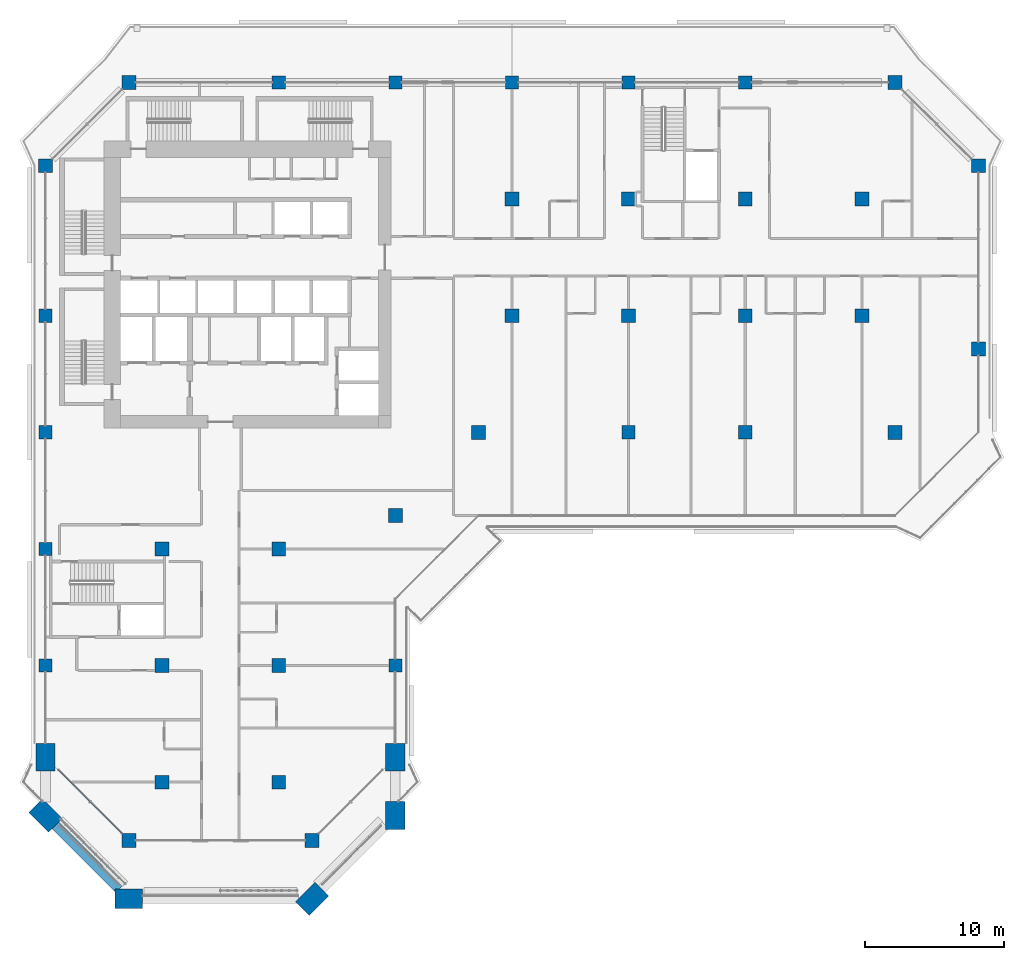
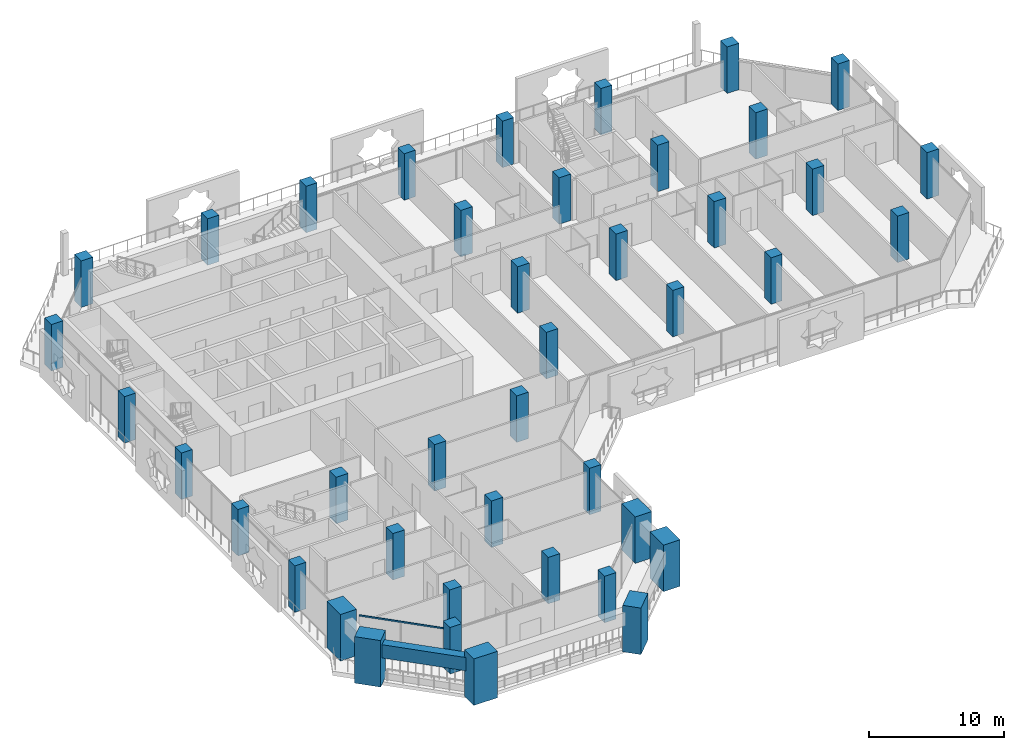
# One storey, part 1 of 22: 42 columns, 1 beam, 1 member, 1 element without a shape of its own.
"""IFC4 building model written with IfcOpenShell, lengths in metres."""

from ifc_helpers import new_model, si_unit, direction, frame, origin, origin_2d, place, context, subcontext, project, spatial, rectangle, extrude, material, layer, layer_set, material_profile, profile_set, type_object, element, aggregate, save


model = new_model("IFC4")

# Units and contexts
model_context = context("Model", 3, precision=1e-05, world=origin(), true_north=direction((0.0, 1.0)))
body_context = subcontext(model_context, "Body", "Model", "MODEL_VIEW")
ifc_project = project(units=[si_unit("LENGTHUNIT", "METRE"), si_unit("AREAUNIT", "SQUARE_METRE"), si_unit("VOLUMEUNIT", "CUBIC_METRE"), si_unit("PLANEANGLEUNIT", "RADIAN"), si_unit("MASSUNIT", "GRAM", prefix="KILO")], contexts=[model_context])

# Site, building, storey
site_placement = place(None, origin())
site = spatial("IfcSite", under=ifc_project, at=site_placement, CompositionType="ELEMENT")
building_placement = place(site_placement, origin())
building = spatial("IfcBuilding", under=site, at=building_placement, Name="Kawkab Arch Medical Tower", CompositionType="ELEMENT")
storey_placement = place(building_placement, frame((0.0, 0.0, 171.0)))
storey = spatial("IfcBuildingStorey", under=building, at=storey_placement, Name="L39", CompositionType="ELEMENT", Elevation=171.0)

# Columns
ifc_material_1 = material(Name="Concrete C50/60", Category="concrete")
ifc_material_profile_1 = material_profile(ifc_material_1, rectangle(XDim=1.0, YDim=1.0, at=origin_2d()), Name="RC 1000x1000")
ifc_profile_set_1 = profile_set([ifc_material_profile_1], Name="Concrete C50/60")
column_type_1 = type_object("IfcColumnType", Name="RC 1000x1000 column C50/60", PredefinedType="COLUMN", material=ifc_profile_set_1)
for number, where, z_axis, x_axis, name in (
    (1, (6.0, 0.0, 0.0), (0.0, 0.0, 1.0), (1.0, 0.0, 0.0), "Column RC 1000x1000"),
    (2, (61.199951171875, 0.0, 0.0), (0.0, 0.0, 1.0), (1.0, 0.0, 0.0), "Column RC 1000x1000"),
    (3, (0.0, -6.0, 0.0), (0.0, 0.0, 1.0), (1.0, 0.0, 0.0), "Column RC 1000x1000"),
    (4, (67.199951171875, -6.0, 0.0), (0.0, 0.0, 1.0), (1.0, 0.0, 0.0), "Column RC 1000x1000"),
    (5, (33.60009765625, -8.39990234375, 0.0), (0.0, 0.0, 1.0), (1.0, 0.0, 0.0), "Column RC 1000x1000"),
    (6, (42.0, -8.39990234375, 0.0), (0.0, 0.0, 1.0), (1.0, 0.0, 0.0), "Column RC 1000x1000"),
    (7, (50.39990234375, -8.39990234375, 0.0), (0.0, 0.0, 1.0), (1.0, 0.0, 0.0), "Column RC 1000x1000"),
    (8, (58.800048828125, -8.39990234375, 0.0), (0.0, 0.0, 1.0), (1.0, 0.0, 0.0), "Column RC 1000x1000"),
    (9, (33.60009765625, -16.800048828125, 0.0), (0.0, 0.0, 1.0), (1.0, 0.0, 0.0), "Column RC 1000x1000"),
    (10, (42.0, -16.800048828125, 0.0), (0.0, 0.0, 1.0), (1.0, 0.0, 0.0), "Column RC 1000x1000"),
    (11, (50.39990234375, -16.800048828125, 0.0), (0.0, 0.0, 1.0), (1.0, 0.0, 0.0), "Column RC 1000x1000"),
    (12, (58.800048828125, -16.800048828125, 0.0), (0.0, 0.0, 1.0), (1.0, 0.0, 0.0), "Column RC 1000x1000"),
    (13, (67.199951171875, -19.199951171875, 0.0), (0.0, 0.0, 1.0), (1.0, 0.0, 0.0), "Column RC 1000x1000"),
    (14, (31.199951171875, -25.199951171875, 0.0), (0.0, 0.0, 1.0), (1.0, 0.0, 0.0), "Column RC 1000x1000"),
    (15, (61.199951171875, -25.199951171875, 0.0), (0.0, 0.0, 1.0), (1.0, 0.0, 0.0), "Column RC 1000x1000"),
    (16, (25.199951171875, -31.199951171875, 0.0), (0.0, 0.0, 1.0), (1.0, 0.0, 0.0), "Column RC 1000x1000"),
    (17, (8.39990234375, -33.60009765625, 0.0), (0.0, 0.0, 1.0), (1.0, 0.0, 0.0), "Column RC 1000x1000"),
    (18, (16.800048828125, -33.60009765625, 0.0), (0.0, 0.0, 1.0), (1.0, 0.0, 0.0), "Column RC 1000x1000"),
    (19, (8.39990234375, -42.0, 0.0), (0.0, 0.0, 1.0), (1.0, 0.0, 0.0), "Column RC 1000x1000"),
    (20, (16.800048828125, -42.0, 0.0), (0.0, 0.0, 1.0), (1.0, 0.0, 0.0), "Column RC 1000x1000"),
    (21, (8.39990234375, -50.39990234375, 0.0), (0.0, 0.0, 1.0), (1.0, 0.0, 0.0), "Column RC 1000x1000"),
    (22, (16.800048828125, -50.39990234375, 0.0), (0.0, 0.0, 1.0), (1.0, 0.0, 0.0), "Column RC 1000x1000"),
    (23, (6.0, -54.60009765625, 0.0), (0.0, 0.0, 1.0), (1.0, 0.0, 0.0), "Column RC 1000x1000"),
    (24, (19.199951171875, -54.60009765625, 0.0), (0.0, 0.0, 1.0), (1.0, 0.0, 0.0), "Column RC 1000x1000"),
):
    element("IfcColumn", number, at=place(storey_placement, frame(where, z_axis=z_axis, x_axis=x_axis)), inside=storey, type_object=column_type_1, Name=name, PredefinedType="COLUMN", context=body_context, shape_type="SweptSolid", body=[
        extrude(rectangle(XDim=1.0, YDim=1.0, at=origin_2d()), origin(), (0.0, 0.0, 1.0), 4.199951171875),
    ])
ifc_material_2 = material(Name="Concrete C50/60", Category="concrete")
ifc_material_profile_2 = material_profile(ifc_material_2, rectangle(XDim=2.0, YDim=1.39990234375, at=origin_2d()), Name="RC 2000x1400")
ifc_profile_set_2 = profile_set([ifc_material_profile_2], Name="Concrete C50/60")
column_type_2 = type_object("IfcColumnType", Name="RC 2000x1400 column C50/60", PredefinedType="COLUMN", material=ifc_profile_set_2)
for number, where, z_axis, x_axis, name in (
    (25, (0.0, -48.60009765625, 0.0), (0.0, 0.0, 1.0), (0.0, 1.0, 0.0), "Column RC 2000x1400"),
    (26, (25.199951171875, -48.60009765625, 0.0), (0.0, 0.0, 1.0), (0.0, -1.0, 0.0), "Column RC 2000x1400"),
    (27, (25.199951171875, -52.800048828125, 0.0), (0.0, 0.0, 1.0), (0.0, -1.0, 0.0), "Column RC 2000x1400"),
    (28, (19.199951171875, -58.800048828125, 0.0), (0.0, 0.0, 1.0), (-0.707106781187, -0.707106781187, 0.0), "Column RC 2000x1400"),
    (29, (6.0, -58.800048828125, 0.0), (0.0, 0.0, 1.0), (-1.0, 0.0, 0.0), "Column RC 2000x1400"),
    (30, (0.0, -52.800048828125, 0.0), (0.0, 0.0, 1.0), (-0.707106781187, 0.707106781187, 0.0), "Column RC 2000x1400"),
):
    element("IfcColumn", number, at=place(storey_placement, frame(where, z_axis=z_axis, x_axis=x_axis)), inside=storey, type_object=column_type_2, Name=name, PredefinedType="COLUMN", context=body_context, shape_type="SweptSolid", body=[
        extrude(rectangle(XDim=2.0, YDim=1.39990234375, at=origin_2d()), origin(), (0.0, 0.0, 1.0), 4.199951171875),
    ])
ifc_material_3 = material(Name="Concrete C50/60", Category="concrete")
ifc_material_profile_3 = material_profile(ifc_material_3, rectangle(XDim=0.949951171875, YDim=0.949951171875, at=origin_2d()), Name="RC 950x950")
ifc_profile_set_3 = profile_set([ifc_material_profile_3], Name="Concrete C50/60")
column_type_3 = type_object("IfcColumnType", Name="RC 950x950 column C50/60", PredefinedType="COLUMN", material=ifc_profile_set_3)
for number, where, z_axis, x_axis, name in (
    (31, (16.800048828125, 0.0, 0.0), (0.0, 0.0, 1.0), (1.0, 0.0, 0.0), "Column RC 950x950"),
    (32, (25.199951171875, 0.0, 0.0), (0.0, 0.0, 1.0), (1.0, 0.0, 0.0), "Column RC 950x950"),
    (33, (33.60009765625, 0.0, 0.0), (0.0, 0.0, 1.0), (1.0, 0.0, 0.0), "Column RC 950x950"),
    (34, (42.0, 0.0, 0.0), (0.0, 0.0, 1.0), (1.0, 0.0, 0.0), "Column RC 950x950"),
    (35, (50.39990234375, 0.0, 0.0), (0.0, 0.0, 1.0), (1.0, 0.0, 0.0), "Column RC 950x950"),
    (36, (0.0, -16.800048828125, 0.0), (0.0, 0.0, 1.0), (1.0, 0.0, 0.0), "Column RC 950x950"),
    (37, (0.0, -25.199951171875, 0.0), (0.0, 0.0, 1.0), (1.0, 0.0, 0.0), "Column RC 950x950"),
    (38, (42.0, -25.199951171875, 0.0), (0.0, 0.0, 1.0), (1.0, 0.0, 0.0), "Column RC 950x950"),
    (39, (50.39990234375, -25.199951171875, 0.0), (0.0, 0.0, 1.0), (1.0, 0.0, 0.0), "Column RC 950x950"),
    (40, (0.0, -33.60009765625, 0.0), (0.0, 0.0, 1.0), (1.0, 0.0, 0.0), "Column RC 950x950"),
    (41, (0.0, -42.0, 0.0), (0.0, 0.0, 1.0), (1.0, 0.0, 0.0), "Column RC 950x950"),
    (42, (25.199951171875, -42.0, 0.0), (0.0, 0.0, 1.0), (1.0, 0.0, 0.0), "Column RC 950x950"),
):
    element("IfcColumn", number, at=place(storey_placement, frame(where, z_axis=z_axis, x_axis=x_axis)), inside=storey, type_object=column_type_3, Name=name, PredefinedType="COLUMN", context=body_context, shape_type="SweptSolid", body=[
        extrude(rectangle(XDim=0.949951171875, YDim=0.949951171875, at=origin_2d()), origin(), (0.0, 0.0, 1.0), 4.199951171875),
    ])

# Curtain wall, member
ifc_material_4 = material(Name="Bronze anodised aluminium curtain wall frame", Category="aluminium")
ifc_layer = layer(ifc_material_4, 0.159912109375)
ifc_layer_set = layer_set([ifc_layer], Name="Bronze anodised aluminium curtain wall frame")
curtain_wall_type = type_object("IfcCurtainWallType", Name="CW2 chamfer curtain wall", PredefinedType="NOTDEFINED", material=ifc_layer_set)
curtain_wall_placement = place(storey_placement, origin())
curtain_wall = element("IfcCurtainWall", 43, at=curtain_wall_placement, inside=storey, type_object=curtain_wall_type, Name="CW2 Chamfer curtain wall R02", PredefinedType="NOTDEFINED")
ifc_material_5 = material(Name="Bronze anodised aluminium curtain wall frame", Category="aluminium")
ifc_material_profile_4 = material_profile(ifc_material_5, rectangle(XDim=0.06005859375, YDim=0.139892578125, at=origin_2d()), Name="AL 60x140")
ifc_profile_set_4 = profile_set([ifc_material_profile_4], Name="Bronze anodised aluminium curtain wall frame")
member_type = type_object("IfcMemberType", Name="CW2 transom 140 x 60", PredefinedType="USERDEFINED", material=ifc_profile_set_4)
member_placement = place(storey_placement, frame((0.930419921875, -49.5302734375, 3.530029296875), z_axis=(0.707087892013, -0.707125669856, 0.0), x_axis=(0.707125669856, 0.707087892013, 0.0)))
member = element("IfcMember", 44, at=member_placement, type_object=member_type, Name="CW2 transom 1", ObjectType="TRANSOM", PredefinedType="USERDEFINED", context=body_context, shape_type="SweptSolid", body=[
    extrude(rectangle(XDim=0.06005859375, YDim=0.139892578125, at=origin_2d()), origin(), (0.0, 0.0, 1.0), 6.462646484375),
])
aggregate(curtain_wall, [member])

# Beam
ifc_material_6 = material(Name="Concrete C50/60", Category="concrete")
ifc_material_profile_5 = material_profile(ifc_material_6, rectangle(XDim=0.699951171875, YDim=1.199951171875, at=origin_2d()), Name="RC 700x1200")
ifc_profile_set_5 = profile_set([ifc_material_profile_5], Name="Concrete C50/60")
beam_type = type_object("IfcBeamType", Name="RC 700x1200 beam C50/60", PredefinedType="BEAM", material=ifc_profile_set_5)
beam_placement = place(storey_placement, frame((5.300048828125, -58.10009765625, 3.0), z_axis=(-0.707106781187, 0.707106781187, 0.0), x_axis=(-0.707106781187, -0.707106781187, 0.0)))
element("IfcBeam", 45, at=beam_placement, inside=storey, type_object=beam_type, Name="Terrace frame beam TF-L39-1-L40-04", PredefinedType="BEAM", context=body_context, shape_type="SweptSolid", body=[
    extrude(rectangle(XDim=0.699951171875, YDim=1.199951171875, at=origin_2d()), origin(), (0.0, 0.0, 1.0), 6.49560546875),
])

save(model, "model.ifc")
